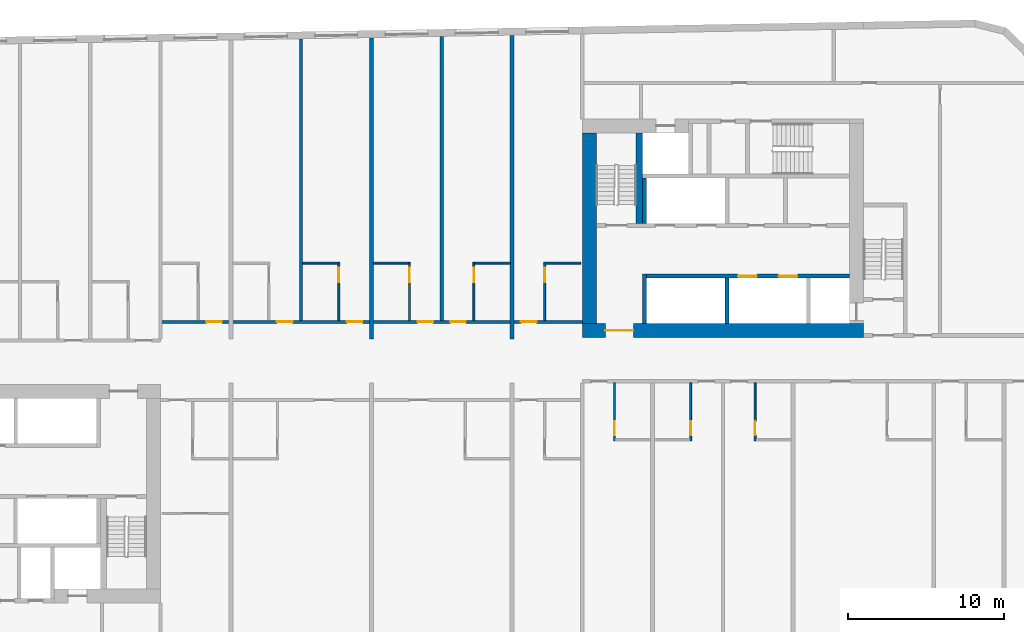
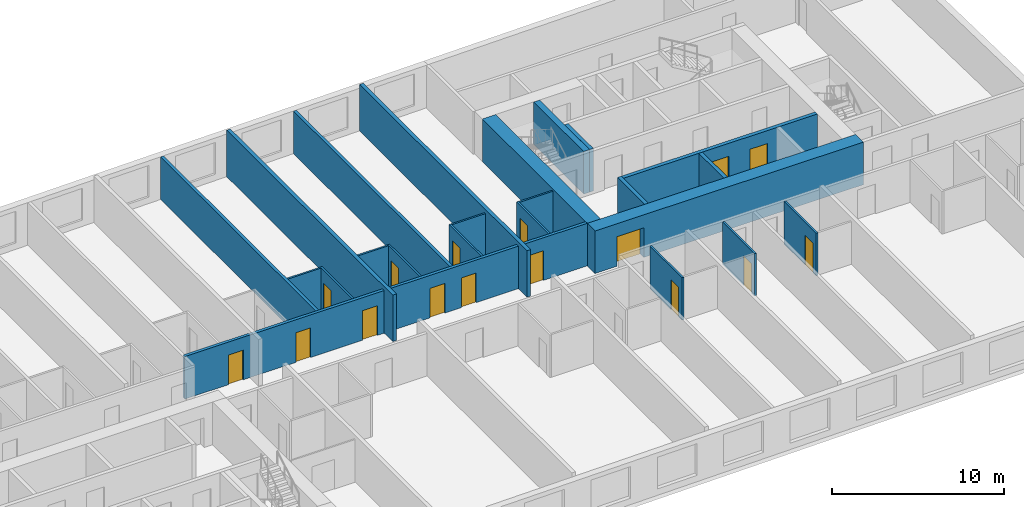
# One storey, part 5 of 11: 23 walls, 16 doors, 16 openings.
"""IFC4 building model written with IfcOpenShell, lengths in metres."""

from ifc_helpers import new_model, si_unit, direction, frame, frame_2d, origin, place, context, subcontext, project, spatial, rectangle, extrude, material, layer, layer_set, type_object, element, fill, save


model = new_model("IFC4")

# Units and contexts
model_context = context("Model", 3, precision=1e-05, world=origin(), true_north=direction((0.0, 1.0)))
body_context = subcontext(model_context, "Body", "Model", "MODEL_VIEW")
ifc_project = project(units=[si_unit("LENGTHUNIT", "METRE"), si_unit("AREAUNIT", "SQUARE_METRE"), si_unit("VOLUMEUNIT", "CUBIC_METRE"), si_unit("PLANEANGLEUNIT", "RADIAN"), si_unit("MASSUNIT", "GRAM", prefix="KILO")], contexts=[model_context])

# Site, building, storey
site_placement = place(None, origin())
site = spatial("IfcSite", under=ifc_project, at=site_placement, CompositionType="ELEMENT")
building_placement = place(site_placement, origin())
building = spatial("IfcBuilding", under=site, at=building_placement, Name="Kajstack Hotel Tower", CompositionType="ELEMENT")
storey_placement = place(building_placement, frame((0.0, 0.0, 240.800048828125)))
storey = spatial("IfcBuildingStorey", under=building, at=storey_placement, Name="L59", CompositionType="ELEMENT", Elevation=240.800048828125)

# Wall, opening, door
ifc_material_1 = material(Name="Concrete C60/75", Category="concrete")
ifc_layer_1 = layer(ifc_material_1, 0.89990234375)
ifc_layer_set_1 = layer_set([ifc_layer_1], Name="Core wall 900")
wall_type_1 = type_object("IfcWallType", Name="Core wall 900", PredefinedType="SHEAR", material=ifc_layer_set_1)
wall_1_placement = place(storey_placement, frame((13.5, 1.949951171875, 0.0), z_axis=(0.0, 0.0, 1.0), x_axis=(1.0, 0.0, 0.0)))
wall_1 = element("IfcWall", 1, at=wall_1_placement, inside=storey, type_object=wall_type_1, Name="Core wall E RN", PredefinedType="SHEAR", context=body_context, shape_type="SweptSolid", body=[
    extrude(rectangle(XDim=18.0, YDim=0.89990234375, at=frame_2d((9.0, 0.0))), origin(), (0.0, 0.0, 1.0), 3.02001953125),
])
opening_1_placement = place(wall_1_placement, frame((1.47509765625, 0.0, 0.0)))
opening_1 = element("IfcOpeningElement", 2, at=opening_1_placement, cuts=wall_1, Name="Opening 59E07", PredefinedType="OPENING", context=body_context, shape_type="SweptSolid", body=[
    extrude(rectangle(XDim=1.800048828125, YDim=2.10009765625, at=frame_2d((0.89990234375, 1.050048828125))), frame((0.0, 0.4599609375, 0.0), z_axis=(0.0, -1.0, 0.0), x_axis=(1.0, 0.0, 0.0)), (0.0, 0.0, 1.0), 0.919921875),
])
ifc_material_2 = material(Name="Glazed steel frame, fire-rated glass", Category="steel")
door_type_1 = type_object("IfcDoorType", Name="Lobby double door 1800", OperationType="DOUBLE_DOOR_DOUBLE_SWING", PredefinedType="DOOR", material=ifc_material_2)
door_1_placement = place(opening_1_placement, origin())
door_1 = element("IfcDoor", 3, at=door_1_placement, inside=storey, type_object=door_type_1, Name="Door 59E07", OperationType="DOUBLE_DOOR_DOUBLE_SWING", OverallHeight=2.10009765625, OverallWidth=1.800048828125, PredefinedType="DOOR", context=body_context, shape_type="SweptSolid", body=[
    extrude(rectangle(XDim=1.800048828125, YDim=2.10009765625, at=frame_2d((0.89990234375, 1.050048828125))), frame((0.0, 0.02490234375, 0.0), z_axis=(0.0, -1.0, 0.0), x_axis=(1.0, 0.0, 0.0)), (0.0, 0.0, 1.0), 0.050048828125),
])
fill(opening_1, door_1)

# Wall
wall_2_placement = place(storey_placement, frame((13.949951171875, 2.39990234375, 0.0), z_axis=(0.0, 0.0, 1.0), x_axis=(0.0, 1.0, 0.0)))
element("IfcWall", 4, at=wall_2_placement, inside=storey, type_object=wall_type_1, Name="Core wall E RE", PredefinedType="SHEAR", context=body_context, shape_type="SweptSolid", body=[
    extrude(rectangle(XDim=12.2001953125, YDim=0.89990234375, at=frame_2d((6.10009765625, 0.0))), origin(), (0.0, 0.0, 1.0), 3.02001953125),
])

# Wall, openings, doors
ifc_material_3 = material(Name="Gypsum board on steel studs, mineral wool", Category="steel")
ifc_layer_2 = layer(ifc_material_3, 0.199951171875)
ifc_layer_set_2 = layer_set([ifc_layer_2], Name="Corridor wall 200")
wall_type_2 = type_object("IfcWallType", Name="Corridor wall 200", PredefinedType="PARTITIONING", material=ifc_layer_set_2)
wall_3_placement = place(storey_placement, frame((-13.5, 2.5, 0.0), z_axis=(0.0, 0.0, 1.0), x_axis=(1.0, 0.0, 0.0)))
wall_3 = element("IfcWall", 5, at=wall_3_placement, inside=storey, type_object=wall_type_2, Name="G-wall-L59-004", PredefinedType="PARTITIONING", context=body_context, shape_type="SweptSolid", body=[
    extrude(rectangle(XDim=27.0, YDim=0.199951171875, at=frame_2d((13.5, 0.0))), origin(), (0.0, 0.0, 1.0), 3.02001953125),
])
opening_2_placement = place(wall_3_placement, frame((2.925048828125, 0.0, 0.0)))
opening_2 = element("IfcOpeningElement", 6, at=opening_2_placement, cuts=wall_3, Name="Opening 59012", PredefinedType="OPENING", context=body_context, shape_type="SweptSolid", body=[
    extrude(rectangle(XDim=1.0, YDim=2.10009765625, at=frame_2d((0.5, 1.050048828125))), frame((0.0, 0.10986328125, 0.0), z_axis=(0.0, -1.0, 0.0), x_axis=(1.0, 0.0, 0.0)), (0.0, 0.0, 1.0), 0.219970703125),
])
opening_3_placement = place(wall_3_placement, frame((7.449951171875, 0.0, 0.0)))
opening_3 = element("IfcOpeningElement", 7, at=opening_3_placement, cuts=wall_3, Name="Opening 59014", PredefinedType="OPENING", context=body_context, shape_type="SweptSolid", body=[
    extrude(rectangle(XDim=1.0, YDim=2.10009765625, at=frame_2d((0.5, 1.050048828125))), frame((0.0, 0.10986328125, 0.0), z_axis=(0.0, -1.0, 0.0), x_axis=(1.0, 0.0, 0.0)), (0.0, 0.0, 1.0), 0.219970703125),
])
opening_4_placement = place(wall_3_placement, frame((11.925048828125, 0.0, 0.0)))
opening_4 = element("IfcOpeningElement", 8, at=opening_4_placement, cuts=wall_3, Name="Opening 59016", PredefinedType="OPENING", context=body_context, shape_type="SweptSolid", body=[
    extrude(rectangle(XDim=1.0, YDim=2.10009765625, at=frame_2d((0.5, 1.050048828125))), frame((0.0, 0.10986328125, 0.0), z_axis=(0.0, -1.0, 0.0), x_axis=(1.0, 0.0, 0.0)), (0.0, 0.0, 1.0), 0.219970703125),
])
opening_5_placement = place(wall_3_placement, frame((16.449951171875, 0.0, 0.0)))
opening_5 = element("IfcOpeningElement", 9, at=opening_5_placement, cuts=wall_3, Name="Opening 59018", PredefinedType="OPENING", context=body_context, shape_type="SweptSolid", body=[
    extrude(rectangle(XDim=1.0, YDim=2.10009765625, at=frame_2d((0.5, 1.050048828125))), frame((0.0, 0.10986328125, 0.0), z_axis=(0.0, -1.0, 0.0), x_axis=(1.0, 0.0, 0.0)), (0.0, 0.0, 1.0), 0.219970703125),
])
opening_6_placement = place(wall_3_placement, frame((18.550048828125, 0.0, 0.0)))
opening_6 = element("IfcOpeningElement", 10, at=opening_6_placement, cuts=wall_3, Name="Opening 59020", PredefinedType="OPENING", context=body_context, shape_type="SweptSolid", body=[
    extrude(rectangle(XDim=1.0, YDim=2.10009765625, at=frame_2d((0.5, 1.050048828125))), frame((0.0, 0.10986328125, 0.0), z_axis=(0.0, -1.0, 0.0), x_axis=(1.0, 0.0, 0.0)), (0.0, 0.0, 1.0), 0.219970703125),
])
opening_7_placement = place(wall_3_placement, frame((23.074951171875, 0.0, 0.0)))
opening_7 = element("IfcOpeningElement", 11, at=opening_7_placement, cuts=wall_3, Name="Opening 59022", PredefinedType="OPENING", context=body_context, shape_type="SweptSolid", body=[
    extrude(rectangle(XDim=1.0, YDim=2.10009765625, at=frame_2d((0.5, 1.050048828125))), frame((0.0, 0.10986328125, 0.0), z_axis=(0.0, -1.0, 0.0), x_axis=(1.0, 0.0, 0.0)), (0.0, 0.0, 1.0), 0.219970703125),
])
ifc_material_4 = material(Name="Oak veneer on timber core, fire-rated leaf", Category="wood")
door_type_2 = type_object("IfcDoorType", Name="Flat entrance door 1000", OperationType="SINGLE_SWING_LEFT", PredefinedType="DOOR", material=ifc_material_4)
door_2_placement = place(opening_2_placement, origin())
door_2 = element("IfcDoor", 12, at=door_2_placement, inside=storey, type_object=door_type_2, Name="G-door-L59-12", OperationType="SINGLE_SWING_LEFT", OverallHeight=2.10009765625, OverallWidth=1.0, PredefinedType="DOOR", context=body_context, shape_type="SweptSolid", body=[
    extrude(rectangle(XDim=1.0, YDim=2.10009765625, at=frame_2d((0.5, 1.050048828125))), frame((0.0, 0.02490234375, 0.0), z_axis=(0.0, -1.0, 0.0), x_axis=(1.0, 0.0, 0.0)), (0.0, 0.0, 1.0), 0.050048828125),
])
fill(opening_2, door_2)
door_3_placement = place(opening_3_placement, origin())
door_3 = element("IfcDoor", 13, at=door_3_placement, inside=storey, type_object=door_type_2, Name="G-door-L59-14", OperationType="SINGLE_SWING_RIGHT", OverallHeight=2.10009765625, OverallWidth=1.0, PredefinedType="DOOR", context=body_context, shape_type="SweptSolid", body=[
    extrude(rectangle(XDim=1.0, YDim=2.10009765625, at=frame_2d((0.5, 1.050048828125))), frame((0.0, 0.02490234375, 0.0), z_axis=(0.0, -1.0, 0.0), x_axis=(1.0, 0.0, 0.0)), (0.0, 0.0, 1.0), 0.050048828125),
])
fill(opening_3, door_3)
door_4_placement = place(opening_4_placement, origin())
door_4 = element("IfcDoor", 14, at=door_4_placement, inside=storey, type_object=door_type_2, Name="G-door-L59-16", OperationType="SINGLE_SWING_LEFT", OverallHeight=2.10009765625, OverallWidth=1.0, PredefinedType="DOOR", context=body_context, shape_type="SweptSolid", body=[
    extrude(rectangle(XDim=1.0, YDim=2.10009765625, at=frame_2d((0.5, 1.050048828125))), frame((0.0, 0.02490234375, 0.0), z_axis=(0.0, -1.0, 0.0), x_axis=(1.0, 0.0, 0.0)), (0.0, 0.0, 1.0), 0.050048828125),
])
fill(opening_4, door_4)
door_5_placement = place(opening_5_placement, origin())
door_5 = element("IfcDoor", 15, at=door_5_placement, inside=storey, type_object=door_type_2, Name="G-door-L59-18", OperationType="SINGLE_SWING_RIGHT", OverallHeight=2.10009765625, OverallWidth=1.0, PredefinedType="DOOR", context=body_context, shape_type="SweptSolid", body=[
    extrude(rectangle(XDim=1.0, YDim=2.10009765625, at=frame_2d((0.5, 1.050048828125))), frame((0.0, 0.02490234375, 0.0), z_axis=(0.0, -1.0, 0.0), x_axis=(1.0, 0.0, 0.0)), (0.0, 0.0, 1.0), 0.050048828125),
])
fill(opening_5, door_5)
door_6_placement = place(opening_6_placement, origin())
door_6 = element("IfcDoor", 16, at=door_6_placement, inside=storey, type_object=door_type_2, Name="G-door-L59-20", OperationType="SINGLE_SWING_LEFT", OverallHeight=2.10009765625, OverallWidth=1.0, PredefinedType="DOOR", context=body_context, shape_type="SweptSolid", body=[
    extrude(rectangle(XDim=1.0, YDim=2.10009765625, at=frame_2d((0.5, 1.050048828125))), frame((0.0, 0.02490234375, 0.0), z_axis=(0.0, -1.0, 0.0), x_axis=(1.0, 0.0, 0.0)), (0.0, 0.0, 1.0), 0.050048828125),
])
fill(opening_6, door_6)
door_7_placement = place(opening_7_placement, origin())
door_7 = element("IfcDoor", 17, at=door_7_placement, inside=storey, type_object=door_type_2, Name="G-door-L59-22", OperationType="SINGLE_SWING_LEFT", OverallHeight=2.10009765625, OverallWidth=1.0, PredefinedType="DOOR", context=body_context, shape_type="SweptSolid", body=[
    extrude(rectangle(XDim=1.0, YDim=2.10009765625, at=frame_2d((0.5, 1.050048828125))), frame((0.0, 0.02490234375, 0.0), z_axis=(0.0, -1.0, 0.0), x_axis=(1.0, 0.0, 0.0)), (0.0, 0.0, 1.0), 0.050048828125),
])
fill(opening_7, door_7)

# Walls
ifc_material_5 = material(Name="Twin-frame gypsum board on steel studs, mineral wool", Category="steel")
ifc_layer_3 = layer(ifc_material_5, 0.199951171875)
ifc_layer_set_3 = layer_set([ifc_layer_3], Name="Demising wall 200")
wall_type_3 = type_object("IfcWallType", Name="Demising wall 200", PredefinedType="PARTITIONING", material=ifc_layer_set_3)
wall_4_placement = place(storey_placement, frame((-4.5, 2.60009765625, 0.0), z_axis=(0.0, 0.0, 1.0), x_axis=(0.0, 1.0, 0.0)))
element("IfcWall", 18, at=wall_4_placement, inside=storey, type_object=wall_type_3, Name="G-wall-L59-021", PredefinedType="PARTITIONING", context=body_context, shape_type="SweptSolid", body=[
    extrude(rectangle(XDim=18.02197265625, YDim=0.199951171875, at=frame_2d((9.010986328125, 0.0))), origin(), (0.0, 0.0, 1.0), 3.02001953125),
])
wall_5_placement = place(storey_placement, frame((4.5, 2.60009765625, 0.0), z_axis=(0.0, 0.0, 1.0), x_axis=(0.0, 1.0, 0.0)))
element("IfcWall", 19, at=wall_5_placement, inside=storey, type_object=wall_type_3, Name="G-wall-L59-026", PredefinedType="PARTITIONING", context=body_context, shape_type="SweptSolid", body=[
    extrude(rectangle(XDim=18.178955078125, YDim=0.199951171875, at=frame_2d((9.08935546875, 0.0))), origin(), (0.0, 0.0, 1.0), 3.02001953125),
])

# Wall, opening, door
ifc_material_6 = material(Name="Gypsum board and tiled backer on steel studs", Category="steel")
ifc_layer_4 = layer(ifc_material_6, 0.125)
ifc_layer_set_4 = layer_set([ifc_layer_4], Name="En-suite wall 125")
wall_type_4 = type_object("IfcWallType", Name="En-suite wall 125", PredefinedType="PARTITIONING", material=ifc_layer_set_4)
wall_6_placement = place(storey_placement, frame((-2.0869140625, 2.60009765625, 0.0), z_axis=(0.0, 0.0, 1.0), x_axis=(0.0, 1.0, 0.0)))
wall_6 = element("IfcWall", 20, at=wall_6_placement, inside=storey, type_object=wall_type_4, Name="G-wall-L59-024", PredefinedType="PARTITIONING", context=body_context, shape_type="SweptSolid", body=[
    extrude(rectangle(XDim=3.724853515625, YDim=0.125, at=frame_2d((1.8623046875, 0.0))), origin(), (0.0, 0.0, 1.0), 3.02001953125),
])
opening_8_placement = place(wall_6_placement, frame((2.449951171875, 0.0, 0.0)))
opening_8 = element("IfcOpeningElement", 21, at=opening_8_placement, cuts=wall_6, Name="Opening 59017", PredefinedType="OPENING", context=body_context, shape_type="SweptSolid", body=[
    extrude(rectangle(XDim=0.89990234375, YDim=2.10009765625, at=frame_2d((0.449951171875, 1.050048828125))), frame((0.0, 0.072509765625, 0.0), z_axis=(0.0, -1.0, 0.0), x_axis=(1.0, 0.0, 0.0)), (0.0, 0.0, 1.0), 0.14501953125),
])
ifc_material_7 = material(Name="Painted timber door leaf", Category="wood")
door_type_3 = type_object("IfcDoorType", Name="Room door 900", OperationType="SINGLE_SWING_LEFT", PredefinedType="DOOR", material=ifc_material_7)
door_8_placement = place(opening_8_placement, origin())
door_8 = element("IfcDoor", 22, at=door_8_placement, inside=storey, type_object=door_type_3, Name="G-door-L59-17", OperationType="SINGLE_SWING_RIGHT", OverallHeight=2.10009765625, OverallWidth=0.89990234375, PredefinedType="DOOR", context=body_context, shape_type="SweptSolid", body=[
    extrude(rectangle(XDim=0.89990234375, YDim=2.10009765625, at=frame_2d((0.449951171875, 1.050048828125))), frame((0.0, 0.02490234375, 0.0), z_axis=(0.0, -1.0, 0.0), x_axis=(1.0, 0.0, 0.0)), (0.0, 0.0, 1.0), 0.050048828125),
])
fill(opening_8, door_8)

# Wall
wall_7_placement = place(storey_placement, frame((-4.39990234375, 6.262939453125, 0.0), z_axis=(0.0, 0.0, 1.0), x_axis=(1.0, 0.0, 0.0)))
element("IfcWall", 23, at=wall_7_placement, inside=storey, type_object=wall_type_4, Name="G-wall-L59-025", PredefinedType="PARTITIONING", context=body_context, shape_type="SweptSolid", body=[
    extrude(rectangle(XDim=2.25, YDim=0.125, at=frame_2d((1.125, 0.0))), origin(), (0.0, 0.0, 1.0), 3.02001953125),
])

# Wall, opening, door
wall_8_placement = place(storey_placement, frame((2.43798828125, 2.60009765625, 0.0), z_axis=(0.0, 0.0, 1.0), x_axis=(0.0, 1.0, 0.0)))
wall_8 = element("IfcWall", 24, at=wall_8_placement, inside=storey, type_object=wall_type_4, Name="G-wall-L59-027", PredefinedType="PARTITIONING", context=body_context, shape_type="SweptSolid", body=[
    extrude(rectangle(XDim=3.724853515625, YDim=0.125, at=frame_2d((1.8623046875, 0.0))), origin(), (0.0, 0.0, 1.0), 3.02001953125),
])
opening_9_placement = place(wall_8_placement, frame((2.449951171875, 0.0, 0.0)))
opening_9 = element("IfcOpeningElement", 25, at=opening_9_placement, cuts=wall_8, Name="Opening 59019", PredefinedType="OPENING", context=body_context, shape_type="SweptSolid", body=[
    extrude(rectangle(XDim=0.89990234375, YDim=2.10009765625, at=frame_2d((0.449951171875, 1.050048828125))), frame((0.0, 0.072509765625, 0.0), z_axis=(0.0, -1.0, 0.0), x_axis=(1.0, 0.0, 0.0)), (0.0, 0.0, 1.0), 0.14501953125),
])
door_9_placement = place(opening_9_placement, origin())
door_9 = element("IfcDoor", 26, at=door_9_placement, inside=storey, type_object=door_type_3, Name="G-door-L59-19", OperationType="SINGLE_SWING_RIGHT", OverallHeight=2.10009765625, OverallWidth=0.89990234375, PredefinedType="DOOR", context=body_context, shape_type="SweptSolid", body=[
    extrude(rectangle(XDim=0.89990234375, YDim=2.10009765625, at=frame_2d((0.449951171875, 1.050048828125))), frame((0.0, 0.02490234375, 0.0), z_axis=(0.0, -1.0, 0.0), x_axis=(1.0, 0.0, 0.0)), (0.0, 0.0, 1.0), 0.050048828125),
])
fill(opening_9, door_9)

# Wall
wall_9_placement = place(storey_placement, frame((0.125, 6.262939453125, 0.0), z_axis=(0.0, 0.0, 1.0), x_axis=(1.0, 0.0, 0.0)))
element("IfcWall", 27, at=wall_9_placement, inside=storey, type_object=wall_type_4, Name="G-wall-L59-028", PredefinedType="PARTITIONING", context=body_context, shape_type="SweptSolid", body=[
    extrude(rectangle(XDim=2.25, YDim=0.125, at=frame_2d((1.125, 0.0))), origin(), (0.0, 0.0, 1.0), 3.02001953125),
])

# Wall, opening, door
wall_10_placement = place(storey_placement, frame((6.56201171875, 2.60009765625, 0.0), z_axis=(0.0, 0.0, 1.0), x_axis=(0.0, 1.0, 0.0)))
wall_10 = element("IfcWall", 28, at=wall_10_placement, inside=storey, type_object=wall_type_4, Name="G-wall-L59-029", PredefinedType="PARTITIONING", context=body_context, shape_type="SweptSolid", body=[
    extrude(rectangle(XDim=3.724853515625, YDim=0.125, at=frame_2d((1.8623046875, 0.0))), origin(), (0.0, 0.0, 1.0), 3.02001953125),
])
opening_10_placement = place(wall_10_placement, frame((2.449951171875, 0.0, 0.0)))
opening_10 = element("IfcOpeningElement", 29, at=opening_10_placement, cuts=wall_10, Name="Opening 59021", PredefinedType="OPENING", context=body_context, shape_type="SweptSolid", body=[
    extrude(rectangle(XDim=0.89990234375, YDim=2.10009765625, at=frame_2d((0.449951171875, 1.050048828125))), frame((0.0, 0.072509765625, 0.0), z_axis=(0.0, -1.0, 0.0), x_axis=(1.0, 0.0, 0.0)), (0.0, 0.0, 1.0), 0.14501953125),
])
door_10_placement = place(opening_10_placement, origin())
door_10 = element("IfcDoor", 30, at=door_10_placement, inside=storey, type_object=door_type_3, Name="G-door-L59-21", OperationType="SINGLE_SWING_RIGHT", OverallHeight=2.10009765625, OverallWidth=0.89990234375, PredefinedType="DOOR", context=body_context, shape_type="SweptSolid", body=[
    extrude(rectangle(XDim=0.89990234375, YDim=2.10009765625, at=frame_2d((0.449951171875, 1.050048828125))), frame((0.0, 0.02490234375, 0.0), z_axis=(0.0, -1.0, 0.0), x_axis=(1.0, 0.0, 0.0)), (0.0, 0.0, 1.0), 0.050048828125),
])
fill(opening_10, door_10)

# Wall
wall_11_placement = place(storey_placement, frame((6.625, 6.262939453125, 0.0), z_axis=(0.0, 0.0, 1.0), x_axis=(1.0, 0.0, 0.0)))
element("IfcWall", 31, at=wall_11_placement, inside=storey, type_object=wall_type_4, Name="G-wall-L59-030", PredefinedType="PARTITIONING", context=body_context, shape_type="SweptSolid", body=[
    extrude(rectangle(XDim=2.25, YDim=0.125, at=frame_2d((1.125, 0.0))), origin(), (0.0, 0.0, 1.0), 3.02001953125),
])

# Wall, opening, door
wall_12_placement = place(storey_placement, frame((11.087890625, 2.60009765625, 0.0), z_axis=(0.0, 0.0, 1.0), x_axis=(0.0, 1.0, 0.0)))
wall_12 = element("IfcWall", 32, at=wall_12_placement, inside=storey, type_object=wall_type_4, Name="G-wall-L59-031", PredefinedType="PARTITIONING", context=body_context, shape_type="SweptSolid", body=[
    extrude(rectangle(XDim=3.724853515625, YDim=0.125, at=frame_2d((1.8623046875, 0.0))), origin(), (0.0, 0.0, 1.0), 3.02001953125),
])
opening_11_placement = place(wall_12_placement, frame((2.449951171875, 0.0, 0.0)))
opening_11 = element("IfcOpeningElement", 33, at=opening_11_placement, cuts=wall_12, Name="Opening 59023", PredefinedType="OPENING", context=body_context, shape_type="SweptSolid", body=[
    extrude(rectangle(XDim=0.89990234375, YDim=2.10009765625, at=frame_2d((0.449951171875, 1.050048828125))), frame((0.0, 0.072509765625, 0.0), z_axis=(0.0, -1.0, 0.0), x_axis=(1.0, 0.0, 0.0)), (0.0, 0.0, 1.0), 0.14501953125),
])
door_11_placement = place(opening_11_placement, origin())
door_11 = element("IfcDoor", 34, at=door_11_placement, inside=storey, type_object=door_type_3, Name="G-door-L59-23", OperationType="SINGLE_SWING_RIGHT", OverallHeight=2.10009765625, OverallWidth=0.89990234375, PredefinedType="DOOR", context=body_context, shape_type="SweptSolid", body=[
    extrude(rectangle(XDim=0.89990234375, YDim=2.10009765625, at=frame_2d((0.449951171875, 1.050048828125))), frame((0.0, 0.02490234375, 0.0), z_axis=(0.0, -1.0, 0.0), x_axis=(1.0, 0.0, 0.0)), (0.0, 0.0, 1.0), 0.050048828125),
])
fill(opening_11, door_11)

# Wall
wall_13_placement = place(storey_placement, frame((11.14990234375, 6.262939453125, 0.0), z_axis=(0.0, 0.0, 1.0), x_axis=(1.0, 0.0, 0.0)))
element("IfcWall", 35, at=wall_13_placement, inside=storey, type_object=wall_type_4, Name="G-wall-L59-032", PredefinedType="PARTITIONING", context=body_context, shape_type="SweptSolid", body=[
    extrude(rectangle(XDim=2.25, YDim=0.125, at=frame_2d((1.125, 0.0))), origin(), (0.0, 0.0, 1.0), 3.02001953125),
])

# Wall, opening, door
wall_14_placement = place(storey_placement, frame((15.56201171875, -5.125, 0.0), z_axis=(0.0, 0.0, 1.0), x_axis=(0.0, 1.0, 0.0)))
wall_14 = element("IfcWall", 36, at=wall_14_placement, inside=storey, type_object=wall_type_4, Name="G-wall-L59-045", PredefinedType="PARTITIONING", context=body_context, shape_type="SweptSolid", body=[
    extrude(rectangle(XDim=3.72509765625, YDim=0.125, at=frame_2d((1.862548828125, 0.0))), origin(), (0.0, 0.0, 1.0), 3.02001953125),
])
opening_12_placement = place(wall_14_placement, frame((0.375, 0.0, 0.0)))
opening_12 = element("IfcOpeningElement", 37, at=opening_12_placement, cuts=wall_14, Name="Opening 59034", PredefinedType="OPENING", context=body_context, shape_type="SweptSolid", body=[
    extrude(rectangle(XDim=0.89990234375, YDim=2.10009765625, at=frame_2d((0.449951171875, 1.050048828125))), frame((0.0, 0.072509765625, 0.0), z_axis=(0.0, -1.0, 0.0), x_axis=(1.0, 0.0, 0.0)), (0.0, 0.0, 1.0), 0.14501953125),
])
door_12_placement = place(opening_12_placement, origin())
door_12 = element("IfcDoor", 38, at=door_12_placement, inside=storey, type_object=door_type_3, Name="G-door-L59-34", OperationType="SINGLE_SWING_RIGHT", OverallHeight=2.10009765625, OverallWidth=0.89990234375, PredefinedType="DOOR", context=body_context, shape_type="SweptSolid", body=[
    extrude(rectangle(XDim=0.89990234375, YDim=2.10009765625, at=frame_2d((0.449951171875, 1.050048828125))), frame((0.0, 0.02490234375, 0.0), z_axis=(0.0, -1.0, 0.0), x_axis=(1.0, 0.0, 0.0)), (0.0, 0.0, 1.0), 0.050048828125),
])
fill(opening_12, door_12)

wall_15_placement = place(storey_placement, frame((20.43798828125, -5.125, 0.0), z_axis=(0.0, 0.0, 1.0), x_axis=(0.0, 1.0, 0.0)))
wall_15 = element("IfcWall", 39, at=wall_15_placement, inside=storey, type_object=wall_type_4, Name="G-wall-L59-048", PredefinedType="PARTITIONING", context=body_context, shape_type="SweptSolid", body=[
    extrude(rectangle(XDim=3.72509765625, YDim=0.125, at=frame_2d((1.862548828125, 0.0))), origin(), (0.0, 0.0, 1.0), 3.02001953125),
])
opening_13_placement = place(wall_15_placement, frame((0.375, 0.0, 0.0)))
opening_13 = element("IfcOpeningElement", 40, at=opening_13_placement, cuts=wall_15, Name="Opening 59036", PredefinedType="OPENING", context=body_context, shape_type="SweptSolid", body=[
    extrude(rectangle(XDim=0.89990234375, YDim=2.10009765625, at=frame_2d((0.449951171875, 1.050048828125))), frame((0.0, 0.072509765625, 0.0), z_axis=(0.0, -1.0, 0.0), x_axis=(1.0, 0.0, 0.0)), (0.0, 0.0, 1.0), 0.14501953125),
])
door_13_placement = place(opening_13_placement, origin())
door_13 = element("IfcDoor", 41, at=door_13_placement, inside=storey, type_object=door_type_3, Name="G-door-L59-36", OperationType="SINGLE_SWING_LEFT", OverallHeight=2.10009765625, OverallWidth=0.89990234375, PredefinedType="DOOR", context=body_context, shape_type="SweptSolid", body=[
    extrude(rectangle(XDim=0.89990234375, YDim=2.10009765625, at=frame_2d((0.449951171875, 1.050048828125))), frame((0.0, 0.02490234375, 0.0), z_axis=(0.0, -1.0, 0.0), x_axis=(1.0, 0.0, 0.0)), (0.0, 0.0, 1.0), 0.050048828125),
])
fill(opening_13, door_13)

wall_16_placement = place(storey_placement, frame((24.56201171875, -5.125, 0.0), z_axis=(0.0, 0.0, 1.0), x_axis=(0.0, 1.0, 0.0)))
wall_16 = element("IfcWall", 42, at=wall_16_placement, inside=storey, type_object=wall_type_4, Name="G-wall-L59-050", PredefinedType="PARTITIONING", context=body_context, shape_type="SweptSolid", body=[
    extrude(rectangle(XDim=3.72509765625, YDim=0.125, at=frame_2d((1.862548828125, 0.0))), origin(), (0.0, 0.0, 1.0), 3.02001953125),
])
opening_14_placement = place(wall_16_placement, frame((0.375, 0.0, 0.0)))
opening_14 = element("IfcOpeningElement", 43, at=opening_14_placement, cuts=wall_16, Name="Opening 59038", PredefinedType="OPENING", context=body_context, shape_type="SweptSolid", body=[
    extrude(rectangle(XDim=0.89990234375, YDim=2.10009765625, at=frame_2d((0.449951171875, 1.050048828125))), frame((0.0, 0.072509765625, 0.0), z_axis=(0.0, -1.0, 0.0), x_axis=(1.0, 0.0, 0.0)), (0.0, 0.0, 1.0), 0.14501953125),
])
door_14_placement = place(opening_14_placement, origin())
door_14 = element("IfcDoor", 44, at=door_14_placement, inside=storey, type_object=door_type_3, Name="G-door-L59-38", OperationType="SINGLE_SWING_LEFT", OverallHeight=2.10009765625, OverallWidth=0.89990234375, PredefinedType="DOOR", context=body_context, shape_type="SweptSolid", body=[
    extrude(rectangle(XDim=0.89990234375, YDim=2.10009765625, at=frame_2d((0.449951171875, 1.050048828125))), frame((0.0, 0.02490234375, 0.0), z_axis=(0.0, -1.0, 0.0), x_axis=(1.0, 0.0, 0.0)), (0.0, 0.0, 1.0), 0.050048828125),
])
fill(opening_14, door_14)

# Walls
ifc_material_8 = material(Name="Concrete C50/60", Category="concrete")
ifc_layer_5 = layer(ifc_material_8, 0.300048828125)
ifc_layer_set_5 = layer_set([ifc_layer_5], Name="Hoistway divider wall 300")
wall_type_5 = type_object("IfcWallType", Name="Hoistway divider wall 300", PredefinedType="SHEAR", material=ifc_layer_set_5)
wall_17_placement = place(storey_placement, frame((22.77490234375, 2.39990234375, 0.0), z_axis=(0.0, 0.0, 1.0), x_axis=(0.0, 1.0, 0.0)))
element("IfcWall", 45, at=wall_17_placement, inside=storey, type_object=wall_type_5, Name="Core wall E AP2", PredefinedType="SHEAR", context=body_context, shape_type="SweptSolid", body=[
    extrude(rectangle(XDim=2.900146484375, YDim=0.25, at=frame_2d((1.4501953125, 0.0))), origin(), (0.0, 0.0, 1.0), 3.02001953125),
])
ifc_material_9 = material(Name="Concrete C45/55", Category="concrete")
ifc_layer_6 = layer(ifc_material_9, 0.25)
ifc_layer_set_6 = layer_set([ifc_layer_6], Name="RC cross wall 250 C45/55")
wall_type_6 = type_object("IfcWallType", Name="RC cross wall 250 C45/55", PredefinedType="SHEAR", material=ifc_layer_set_6)
wall_18_placement = place(storey_placement, frame((0.0, 1.39990234375, 0.0), z_axis=(0.0, 0.0, 1.0), x_axis=(0.0, 1.0, 0.0)))
element("IfcWall", 46, at=wall_18_placement, inside=storey, type_object=wall_type_6, Name="S-wall-L59-07", PredefinedType="SHEAR", context=body_context, shape_type="SweptSolid", body=[
    extrude(rectangle(XDim=19.28857421875, YDim=0.25, at=frame_2d((9.644287109375, 0.0))), origin(), (0.0, 0.0, 1.0), 3.300048828125),
])
wall_19_placement = place(storey_placement, frame((9.0, 1.39990234375, 0.0), z_axis=(0.0, 0.0, 1.0), x_axis=(0.0, 1.0, 0.0)))
element("IfcWall", 47, at=wall_19_placement, inside=storey, type_object=wall_type_6, Name="S-wall-L59-09", PredefinedType="SHEAR", context=body_context, shape_type="SweptSolid", body=[
    extrude(rectangle(XDim=19.44580078125, YDim=0.25, at=frame_2d((9.722900390625, 0.0))), origin(), (0.0, 0.0, 1.0), 3.300048828125),
])

# Wall, openings, doors
ifc_layer_7 = layer(ifc_material_8, 0.25)
ifc_layer_set_7 = layer_set([ifc_layer_7], Name="Shaft wall 250")
wall_type_7 = type_object("IfcWallType", Name="Shaft wall 250", PredefinedType="SHEAR", material=ifc_layer_set_7)
wall_20_placement = place(storey_placement, frame((17.60009765625, 5.425048828125, 0.0), z_axis=(0.0, 0.0, 1.0), x_axis=(1.0, 0.0, 0.0)))
wall_20 = element("IfcWall", 48, at=wall_20_placement, inside=storey, type_object=wall_type_7, Name="Core wall E FA", PredefinedType="SHEAR", context=body_context, shape_type="SweptSolid", body=[
    extrude(rectangle(XDim=13.0, YDim=0.25, at=frame_2d((6.5, 0.0))), origin(), (0.0, 0.0, 1.0), 3.02001953125),
])
opening_15_placement = place(wall_20_placement, frame((8.47509765625, 0.0, 0.0)))
opening_15 = element("IfcOpeningElement", 49, at=opening_15_placement, cuts=wall_20, Name="Opening LD-MR7", PredefinedType="OPENING", context=body_context, shape_type="SweptSolid", body=[
    extrude(rectangle(XDim=1.199951171875, YDim=2.10009765625, at=frame_2d((0.60009765625, 1.050048828125))), frame((0.0, 0.135009765625, 0.0), z_axis=(0.0, -1.0, 0.0), x_axis=(1.0, 0.0, 0.0)), (0.0, 0.0, 1.0), 0.27001953125),
])
opening_16_placement = place(wall_20_placement, frame((5.875, 0.0, 0.0)))
opening_16 = element("IfcOpeningElement", 50, at=opening_16_placement, cuts=wall_20, Name="Opening LD-MR8", PredefinedType="OPENING", context=body_context, shape_type="SweptSolid", body=[
    extrude(rectangle(XDim=1.199951171875, YDim=2.10009765625, at=frame_2d((0.60009765625, 1.050048828125))), frame((0.0, 0.135009765625, 0.0), z_axis=(0.0, -1.0, 0.0), x_axis=(1.0, 0.0, 0.0)), (0.0, 0.0, 1.0), 0.27001953125),
])
ifc_material_10 = material(Name="Stainless steel", Category="steel")
door_type_4 = type_object("IfcDoorType", Name="Lift landing door 1200", OperationType="SLIDING_TO_LEFT", PredefinedType="DOOR", material=ifc_material_10)
door_15_placement = place(opening_15_placement, origin())
door_15 = element("IfcDoor", 51, at=door_15_placement, inside=storey, type_object=door_type_4, Name="Landing door MR7", OperationType="SLIDING_TO_LEFT", OverallHeight=2.10009765625, OverallWidth=1.199951171875, PredefinedType="DOOR", context=body_context, shape_type="SweptSolid", body=[
    extrude(rectangle(XDim=1.199951171875, YDim=2.10009765625, at=frame_2d((0.60009765625, 1.050048828125))), frame((0.0, 0.02490234375, 0.0), z_axis=(0.0, -1.0, 0.0), x_axis=(1.0, 0.0, 0.0)), (0.0, 0.0, 1.0), 0.050048828125),
])
fill(opening_15, door_15)
door_16_placement = place(opening_16_placement, origin())
door_16 = element("IfcDoor", 52, at=door_16_placement, inside=storey, type_object=door_type_4, Name="Landing door MR8", OperationType="SLIDING_TO_RIGHT", OverallHeight=2.10009765625, OverallWidth=1.199951171875, PredefinedType="DOOR", context=body_context, shape_type="SweptSolid", body=[
    extrude(rectangle(XDim=1.199951171875, YDim=2.10009765625, at=frame_2d((0.60009765625, 1.050048828125))), frame((0.0, 0.02490234375, 0.0), z_axis=(0.0, -1.0, 0.0), x_axis=(1.0, 0.0, 0.0)), (0.0, 0.0, 1.0), 0.050048828125),
])
fill(opening_16, door_16)

# Walls
wall_21_placement = place(storey_placement, frame((17.47509765625, 2.39990234375, 0.0), z_axis=(0.0, 0.0, 1.0), x_axis=(0.0, 1.0, 0.0)))
element("IfcWall", 53, at=wall_21_placement, inside=storey, type_object=wall_type_7, Name="Core wall E AE", PredefinedType="SHEAR", context=body_context, shape_type="SweptSolid", body=[
    extrude(rectangle(XDim=3.150146484375, YDim=0.25, at=frame_2d((1.5751953125, 0.0))), origin(), (0.0, 0.0, 1.0), 3.02001953125),
])
wall_22_placement = place(storey_placement, frame((17.47509765625, 8.800048828125, 0.0), z_axis=(0.0, 0.0, 1.0), x_axis=(0.0, 1.0, 0.0)))
element("IfcWall", 54, at=wall_22_placement, inside=storey, type_object=wall_type_7, Name="Core wall E BE", PredefinedType="SHEAR", context=body_context, shape_type="SweptSolid", body=[
    extrude(rectangle(XDim=2.89990234375, YDim=0.25, at=frame_2d((1.449951171875, 0.0))), origin(), (0.0, 0.0, 1.0), 3.02001953125),
])
ifc_layer_8 = layer(ifc_material_8, 0.39990234375)
ifc_layer_set_8 = layer_set([ifc_layer_8], Name="Stair wall 400")
wall_type_8 = type_object("IfcWallType", Name="Stair wall 400", PredefinedType="SHEAR", material=ifc_layer_set_8)
wall_23_placement = place(storey_placement, frame((17.14990234375, 8.800048828125, 0.0), z_axis=(0.0, 0.0, 1.0), x_axis=(0.0, 1.0, 0.0)))
element("IfcWall", 55, at=wall_23_placement, inside=storey, type_object=wall_type_8, Name="Core wall E WW2", PredefinedType="SHEAR", context=body_context, shape_type="SweptSolid", body=[
    extrude(rectangle(XDim=5.800048828125, YDim=0.39990234375, at=frame_2d((2.89990234375, 0.0))), origin(), (0.0, 0.0, 1.0), 3.02001953125),
])

save(model, "model.ifc")
